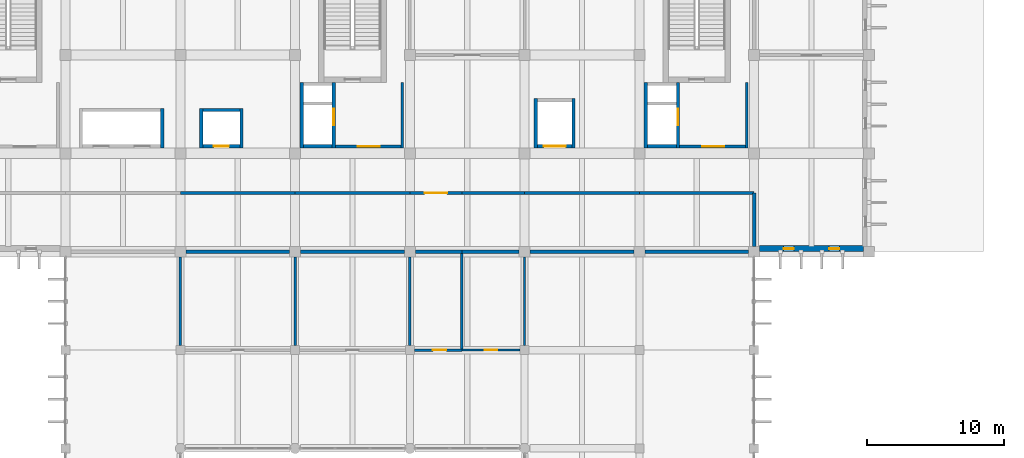
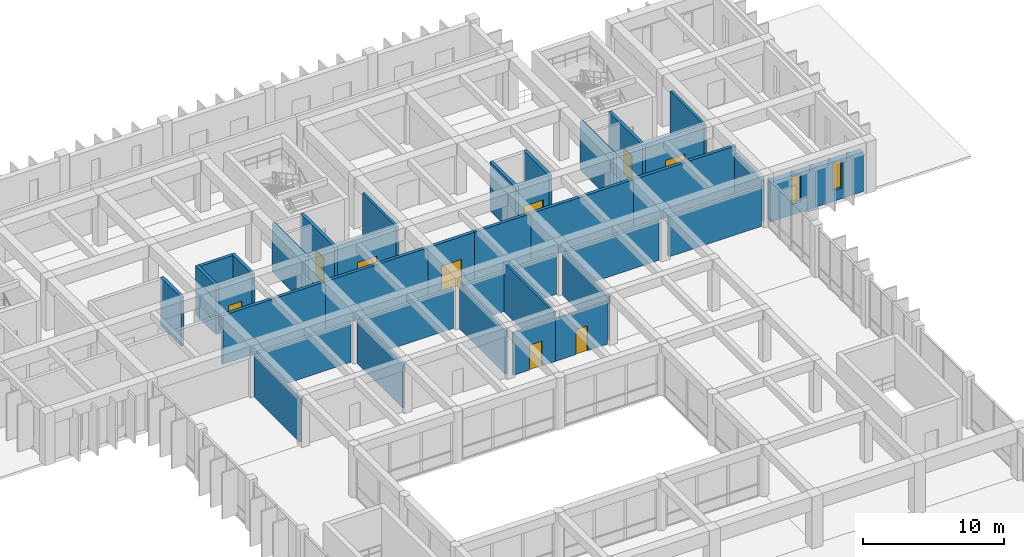
# One storey, part 29 of 40: 39 walls, 9 doors, 2 windows, 11 openings.
"""IFC4 building model written with IfcOpenShell, lengths in metres."""

from ifc_helpers import new_model, si_unit, direction, frame, frame_2d, origin, place, context, subcontext, project, spatial, rectangle, extrude, material, layer, layer_set, type_object, element, fill, save


model = new_model("IFC4")

# Units and contexts
model_context = context("Model", 3, precision=1e-05, world=origin(), true_north=direction((0.0, 1.0)))
body_context = subcontext(model_context, "Body", "Model", "MODEL_VIEW")
ifc_project = project(units=[si_unit("LENGTHUNIT", "METRE"), si_unit("AREAUNIT", "SQUARE_METRE"), si_unit("VOLUMEUNIT", "CUBIC_METRE"), si_unit("PLANEANGLEUNIT", "RADIAN"), si_unit("MASSUNIT", "GRAM", prefix="KILO")], contexts=[model_context])

# Site, building, storey
site_placement = place(None, origin())
site = spatial("IfcSite", under=ifc_project, at=site_placement, CompositionType="ELEMENT")
building_placement = place(site_placement, origin())
building = spatial("IfcBuilding", under=site, at=building_placement, Name="Kenerak Square Central Library", CompositionType="ELEMENT")
storey_placement = place(building_placement, frame((0.0, 0.0, 14.39990234375)))
storey = spatial("IfcBuildingStorey", under=building, at=storey_placement, Name="L03", CompositionType="ELEMENT", Elevation=14.39990234375)

# Wall, opening, door
ifc_material_1 = material(Name="Precast concrete C40/50", Category="concrete")
ifc_layer_1 = layer(ifc_material_1, 0.14990234375)
ifc_layer_set_1 = layer_set([ifc_layer_1], Name="Precast concrete C40/50")
wall_type_1 = type_object("IfcWallType", Name="Acoustic Blockwork Partition IW-150 C40/50", PredefinedType="PARTITIONING", material=ifc_layer_set_1)
wall_1_placement = place(storey_placement, frame((100.074951171875, 81.60009765625, 0.0), z_axis=(0.0, 0.0, 1.0), x_axis=(-1.0, 0.0, 0.0)))
wall_1 = element("IfcWall", 1, at=wall_1_placement, inside=storey, type_object=wall_type_1, Name="Interior Wall IW-L03-15-S1-B1", PredefinedType="PARTITIONING", context=body_context, shape_type="SweptSolid", body=[
    extrude(rectangle(XDim=4.27490234375, YDim=0.14990234375, at=frame_2d((2.137451171875, 0.0))), origin(), (0.0, 0.0, 1.0), 3.68017578125),
])
opening_1_placement = place(wall_1_placement, frame((1.66259765625, 0.0, 0.0)))
opening_1 = element("IfcOpeningElement", 2, at=opening_1_placement, cuts=wall_1, Name="Opening ID-02", PredefinedType="OPENING", context=body_context, shape_type="SweptSolid", body=[
    extrude(rectangle(XDim=0.949951171875, YDim=2.14990234375, at=frame_2d((0.47509765625, 1.074951171875))), frame((0.0, 0.0849609375, 0.0), z_axis=(0.0, -1.0, 0.0), x_axis=(1.0, 0.0, 0.0)), (0.0, 0.0, 1.0), 0.169921875),
])
ifc_material_2 = material(Name="Chengal hardwood timber SG1", Category="wood")
door_type_1 = type_object("IfcDoorType", Name="Study Carrel Timber Door ID-950x2150", OperationType="NOTDEFINED", PredefinedType="DOOR", material=ifc_material_2)
door_1_placement = place(opening_1_placement, origin())
door_1 = element("IfcDoor", 3, at=door_1_placement, inside=storey, type_object=door_type_1, Name="Level 03 Archival Consultation Study Room Door", OperationType="SINGLE_SWING_RIGHT", OverallHeight=2.14990234375, OverallWidth=0.949951171875, PredefinedType="DOOR", context=body_context, shape_type="SweptSolid", body=[
    extrude(rectangle(XDim=0.949951171875, YDim=2.14990234375, at=frame_2d((0.47509765625, 1.074951171875))), frame((0.0, 0.02490234375, 0.0), z_axis=(0.0, -1.0, 0.0), x_axis=(1.0, 0.0, 0.0)), (0.0, 0.0, 1.0), 0.050048828125),
])
fill(opening_1, door_1)

# Walls
wall_2_placement = place(storey_placement, frame((100.39990234375, 88.39990234375, 0.0), z_axis=(0.0, 0.0, 1.0), x_axis=(0.0, -1.0, 0.0)))
element("IfcWall", 4, at=wall_2_placement, inside=storey, type_object=wall_type_1, Name="Interior Wall IW-L03-15-E4-B1", PredefinedType="PARTITIONING", context=body_context, shape_type="SweptSolid", body=[
    extrude(rectangle(XDim=6.474853515625, YDim=0.14990234375, at=frame_2d((3.2373046875, 0.0))), origin(), (0.0, 0.0, 1.0), 3.72998046875),
])
ifc_material_3 = material(Name="Concrete C40/50", Category="concrete")
ifc_layer_2 = layer(ifc_material_3, 0.25)
ifc_layer_set_2 = layer_set([ifc_layer_2], Name="Concrete C40/50")
wall_type_2 = type_object("IfcWallType", Name="Archive Compartment Wall IW-250 C40/50", PredefinedType="SOLIDWALL", material=ifc_layer_set_2)
wall_3_placement = place(storey_placement, frame((75.199951171875, 93.10009765625, 0.0), z_axis=(0.0, 0.0, 1.0), x_axis=(1.0, 0.0, 0.0)))
element("IfcWall", 5, at=wall_3_placement, inside=storey, type_object=wall_type_2, Name="Interior Wall IW-L03-06-N2-B3", PredefinedType="SOLIDWALL", context=body_context, shape_type="SweptSolid", body=[
    extrude(rectangle(XDim=8.400146484375, YDim=0.25, at=frame_2d((4.2001953125, 0.0))), origin(), (0.0, 0.0, 1.0), 4.22998046875),
])
wall_4_placement = place(storey_placement, frame((83.60009765625, 93.10009765625, 0.0), z_axis=(0.0, 0.0, 1.0), x_axis=(1.0, 0.0, 0.0)))
element("IfcWall", 6, at=wall_4_placement, inside=storey, type_object=wall_type_2, Name="Interior Wall IW-L03-06-N2-B4", PredefinedType="SOLIDWALL", context=body_context, shape_type="SweptSolid", body=[
    extrude(rectangle(XDim=8.39990234375, YDim=0.25, at=frame_2d((4.199951171875, 0.0))), origin(), (0.0, 0.0, 1.0), 4.22998046875),
])

# Wall, opening, door
wall_5_placement = place(storey_placement, frame((92.0, 93.10009765625, 0.0), z_axis=(0.0, 0.0, 1.0), x_axis=(1.0, 0.0, 0.0)))
wall_5 = element("IfcWall", 7, at=wall_5_placement, inside=storey, type_object=wall_type_2, Name="Interior Wall IW-L03-06-N2-B5", PredefinedType="SOLIDWALL", context=body_context, shape_type="SweptSolid", body=[
    extrude(rectangle(XDim=3.800048828125, YDim=0.25, at=frame_2d((1.89990234375, 0.0))), origin(), (0.0, 0.0, 1.0), 4.22998046875),
])
opening_2_placement = place(wall_5_placement, frame((1.074951171875, 0.0, 0.0)))
opening_2 = element("IfcOpeningElement", 8, at=opening_2_placement, cuts=wall_5, Name="Opening ID-08", PredefinedType="OPENING", context=body_context, shape_type="SweptSolid", body=[
    extrude(rectangle(XDim=1.64990234375, YDim=2.25, at=frame_2d((0.824951171875, 1.125))), frame((0.0, 0.135009765625, 0.0), z_axis=(0.0, -1.0, 0.0), x_axis=(1.0, 0.0, 0.0)), (0.0, 0.0, 1.0), 0.27001953125),
])
ifc_material_4 = material(Name="Steel S355", Category="steel")
door_type_2 = type_object("IfcDoorType", Name="Vault Fire Compartment Double Door ID-1650x2250 FD120S", OperationType="NOTDEFINED", PredefinedType="DOOR", material=ifc_material_4)
door_2_placement = place(opening_2_placement, origin())
door_2 = element("IfcDoor", 9, at=door_2_placement, inside=storey, type_object=door_type_2, Name="Closed Archival Compact Stack Vault L03 Door", OperationType="DOUBLE_DOOR_SINGLE_SWING", OverallHeight=2.25, OverallWidth=1.64990234375, PredefinedType="DOOR", context=body_context, shape_type="SweptSolid", body=[
    extrude(rectangle(XDim=1.64990234375, YDim=2.25, at=frame_2d((0.824951171875, 1.125))), frame((0.0, 0.02490234375, 0.0), z_axis=(0.0, -1.0, 0.0), x_axis=(1.0, 0.0, 0.0)), (0.0, 0.0, 1.0), 0.050048828125),
])
fill(opening_2, door_2)

# Walls
wall_6_placement = place(storey_placement, frame((95.800048828125, 93.10009765625, 0.0), z_axis=(0.0, 0.0, 1.0), x_axis=(1.0, 0.0, 0.0)))
element("IfcWall", 10, at=wall_6_placement, inside=storey, type_object=wall_type_2, Name="Interior Wall IW-L03-06-N2-B6", PredefinedType="SOLIDWALL", context=body_context, shape_type="SweptSolid", body=[
    extrude(rectangle(XDim=4.599853515625, YDim=0.25, at=frame_2d((2.2998046875, 0.0))), origin(), (0.0, 0.0, 1.0), 4.22998046875),
])
wall_7_placement = place(storey_placement, frame((100.39990234375, 93.10009765625, 0.0), z_axis=(0.0, 0.0, 1.0), x_axis=(1.0, 0.0, 0.0)))
element("IfcWall", 11, at=wall_7_placement, inside=storey, type_object=wall_type_2, Name="Interior Wall IW-L03-06-N2-B7", PredefinedType="SOLIDWALL", context=body_context, shape_type="SweptSolid", body=[
    extrude(rectangle(XDim=8.400146484375, YDim=0.25, at=frame_2d((4.2001953125, 0.0))), origin(), (0.0, 0.0, 1.0), 4.22998046875),
])
wall_8_placement = place(storey_placement, frame((108.800048828125, 93.10009765625, 0.0), z_axis=(0.0, 0.0, 1.0), x_axis=(1.0, 0.0, 0.0)))
element("IfcWall", 12, at=wall_8_placement, inside=storey, type_object=wall_type_2, Name="Interior Wall IW-L03-06-N2-B8", PredefinedType="SOLIDWALL", context=body_context, shape_type="SweptSolid", body=[
    extrude(rectangle(XDim=8.39990234375, YDim=0.25, at=frame_2d((4.199951171875, 0.0))), origin(), (0.0, 0.0, 1.0), 4.22998046875),
])
wall_9_placement = place(storey_placement, frame((116.800048828125, 88.800048828125, 0.0), z_axis=(0.0, 0.0, 1.0), x_axis=(-1.0, 0.0, 0.0)))
element("IfcWall", 13, at=wall_9_placement, inside=storey, type_object=wall_type_2, Name="Interior Wall IW-L03-06-S1-B1", PredefinedType="SOLIDWALL", context=body_context, shape_type="SweptSolid", body=[
    extrude(rectangle(XDim=7.60009765625, YDim=0.25, at=frame_2d((3.800048828125, 0.0))), origin(), (0.0, 0.0, 1.0), 3.43017578125),
])
wall_10_placement = place(storey_placement, frame((108.39990234375, 88.800048828125, 0.0), z_axis=(0.0, 0.0, 1.0), x_axis=(-1.0, 0.0, 0.0)))
element("IfcWall", 14, at=wall_10_placement, inside=storey, type_object=wall_type_2, Name="Interior Wall IW-L03-06-S1-B2", PredefinedType="SOLIDWALL", context=body_context, shape_type="SweptSolid", body=[
    extrude(rectangle(XDim=7.599853515625, YDim=0.25, at=frame_2d((3.7998046875, 0.0))), origin(), (0.0, 0.0, 1.0), 3.43017578125),
])
wall_11_placement = place(storey_placement, frame((100.0, 88.800048828125, 0.0), z_axis=(0.0, 0.0, 1.0), x_axis=(-1.0, 0.0, 0.0)))
element("IfcWall", 15, at=wall_11_placement, inside=storey, type_object=wall_type_2, Name="Interior Wall IW-L03-06-S1-B3", PredefinedType="SOLIDWALL", context=body_context, shape_type="SweptSolid", body=[
    extrude(rectangle(XDim=4.199951171875, YDim=0.25, at=frame_2d((2.10009765625, 0.0))), origin(), (0.0, 0.0, 1.0), 3.43017578125),
])
wall_12_placement = place(storey_placement, frame((95.800048828125, 88.800048828125, 0.0), z_axis=(0.0, 0.0, 1.0), x_axis=(-1.0, 0.0, 0.0)))
element("IfcWall", 16, at=wall_12_placement, inside=storey, type_object=wall_type_2, Name="Interior Wall IW-L03-06-S1-B4", PredefinedType="SOLIDWALL", context=body_context, shape_type="SweptSolid", body=[
    extrude(rectangle(XDim=3.400146484375, YDim=0.25, at=frame_2d((1.7001953125, 0.0))), origin(), (0.0, 0.0, 1.0), 3.43017578125),
])
wall_13_placement = place(storey_placement, frame((91.60009765625, 88.800048828125, 0.0), z_axis=(0.0, 0.0, 1.0), x_axis=(-1.0, 0.0, 0.0)))
element("IfcWall", 17, at=wall_13_placement, inside=storey, type_object=wall_type_2, Name="Interior Wall IW-L03-06-S1-B5", PredefinedType="SOLIDWALL", context=body_context, shape_type="SweptSolid", body=[
    extrude(rectangle(XDim=7.60009765625, YDim=0.25, at=frame_2d((3.800048828125, 0.0))), origin(), (0.0, 0.0, 1.0), 3.43017578125),
])
wall_14_placement = place(storey_placement, frame((83.199951171875, 88.800048828125, 0.0), z_axis=(0.0, 0.0, 1.0), x_axis=(-1.0, 0.0, 0.0)))
element("IfcWall", 18, at=wall_14_placement, inside=storey, type_object=wall_type_2, Name="Interior Wall IW-L03-06-S1-B6", PredefinedType="SOLIDWALL", context=body_context, shape_type="SweptSolid", body=[
    extrude(rectangle(XDim=7.599853515625, YDim=0.25, at=frame_2d((3.7998046875, 0.0))), origin(), (0.0, 0.0, 1.0), 3.43017578125),
])
wall_15_placement = place(storey_placement, frame((117.199951171875, 93.10009765625, 0.0), z_axis=(0.0, 0.0, 1.0), x_axis=(0.0, -1.0, 0.0)))
element("IfcWall", 19, at=wall_15_placement, inside=storey, type_object=wall_type_2, Name="Interior Wall IW-L03-06-E4-B1", PredefinedType="SOLIDWALL", context=body_context, shape_type="SweptSolid", body=[
    extrude(rectangle(XDim=3.900146484375, YDim=0.25, at=frame_2d((1.9501953125, 0.0))), origin(), (0.0, 0.0, 1.0), 3.530029296875),
])
ifc_layer_3 = layer(ifc_material_3, 0.199951171875)
ifc_layer_set_3 = layer_set([ifc_layer_3], Name="Concrete C40/50")
wall_type_3 = type_object("IfcWallType", Name="Lobby Compartment Wall LW-200 C40/50", PredefinedType="SOLIDWALL", material=ifc_layer_set_3)
wall_16_placement = place(storey_placement, frame((91.449951171875, 101.199951171875, 0.0), z_axis=(0.0, 0.0, 1.0), x_axis=(0.0, -1.0, 0.0)))
element("IfcWall", 20, at=wall_16_placement, inside=storey, type_object=wall_type_3, Name="Firefighting Lobby East Wall C2 L03", PredefinedType="SOLIDWALL", context=body_context, shape_type="SweptSolid", body=[
    extrude(rectangle(XDim=4.800048828125, YDim=0.199951171875, at=frame_2d((2.39990234375, 0.0))), origin(), (0.0, 0.0, 1.0), 4.18017578125),
])

# Wall, opening, door
wall_17_placement = place(storey_placement, frame((91.35009765625, 96.5, 0.0), z_axis=(0.0, 0.0, 1.0), x_axis=(-1.0, 0.0, 0.0)))
wall_17 = element("IfcWall", 21, at=wall_17_placement, inside=storey, type_object=wall_type_3, Name="Firefighting Lobby South Wall C2 L03", PredefinedType="SOLIDWALL", context=body_context, shape_type="SweptSolid", body=[
    extrude(rectangle(XDim=4.800048828125, YDim=0.199951171875, at=frame_2d((2.39990234375, 0.0))), origin(), (0.0, 0.0, 1.0), 4.18017578125),
])
opening_3_placement = place(wall_17_placement, frame((1.550048828125, 0.0, 0.0)))
opening_3 = element("IfcOpeningElement", 22, at=opening_3_placement, cuts=wall_17, Name="Opening D-FFL", PredefinedType="OPENING", context=body_context, shape_type="SweptSolid", body=[
    extrude(rectangle(XDim=1.60009765625, YDim=2.199951171875, at=frame_2d((0.800048828125, 1.10009765625))), frame((0.0, 0.10986328125, 0.0), z_axis=(0.0, -1.0, 0.0), x_axis=(1.0, 0.0, 0.0)), (0.0, 0.0, 1.0), 0.219970703125),
])
door_type_3 = type_object("IfcDoorType", Name="Firefighting Lobby Double Door FD-1600x2200 FD60S", OperationType="NOTDEFINED", PredefinedType="DOOR", material=ifc_material_4)
door_3_placement = place(opening_3_placement, frame((1.60009765625, 0.0, 0.0), z_axis=(0.0, 0.0, 1.0), x_axis=(-1.0, 0.0, 0.0)))
door_3 = element("IfcDoor", 23, at=door_3_placement, inside=storey, type_object=door_type_3, Name="Firefighting Lobby Door C2 L03", OperationType="DOUBLE_DOOR_SINGLE_SWING", OverallHeight=2.199951171875, OverallWidth=1.60009765625, PredefinedType="DOOR", context=body_context, shape_type="SweptSolid", body=[
    extrude(rectangle(XDim=1.60009765625, YDim=2.199951171875, at=frame_2d((0.800048828125, 1.10009765625))), frame((0.0, 0.02490234375, 0.0), z_axis=(0.0, -1.0, 0.0), x_axis=(1.0, 0.0, 0.0)), (0.0, 0.0, 1.0), 0.050048828125),
])
fill(opening_3, door_3)

# Wall
wall_18_placement = place(storey_placement, frame((116.64990234375, 101.199951171875, 0.0), z_axis=(0.0, 0.0, 1.0), x_axis=(0.0, -1.0, 0.0)))
element("IfcWall", 24, at=wall_18_placement, inside=storey, type_object=wall_type_3, Name="Firefighting Lobby East Wall C3 L03", PredefinedType="SOLIDWALL", context=body_context, shape_type="SweptSolid", body=[
    extrude(rectangle(XDim=4.800048828125, YDim=0.199951171875, at=frame_2d((2.39990234375, 0.0))), origin(), (0.0, 0.0, 1.0), 4.18017578125),
])

# Wall, opening, door
wall_19_placement = place(storey_placement, frame((116.550048828125, 96.5, 0.0), z_axis=(0.0, 0.0, 1.0), x_axis=(-1.0, 0.0, 0.0)))
wall_19 = element("IfcWall", 25, at=wall_19_placement, inside=storey, type_object=wall_type_3, Name="Firefighting Lobby South Wall C3 L03", PredefinedType="SOLIDWALL", context=body_context, shape_type="SweptSolid", body=[
    extrude(rectangle(XDim=4.800048828125, YDim=0.199951171875, at=frame_2d((2.39990234375, 0.0))), origin(), (0.0, 0.0, 1.0), 4.18017578125),
])
opening_4_placement = place(wall_19_placement, frame((1.550048828125, 0.0, 0.0)))
opening_4 = element("IfcOpeningElement", 26, at=opening_4_placement, cuts=wall_19, Name="Opening D-FFL", PredefinedType="OPENING", context=body_context, shape_type="SweptSolid", body=[
    extrude(rectangle(XDim=1.60009765625, YDim=2.199951171875, at=frame_2d((0.800048828125, 1.10009765625))), frame((0.0, 0.10986328125, 0.0), z_axis=(0.0, -1.0, 0.0), x_axis=(1.0, 0.0, 0.0)), (0.0, 0.0, 1.0), 0.219970703125),
])
door_4_placement = place(opening_4_placement, frame((1.60009765625, 0.0, 0.0), z_axis=(0.0, 0.0, 1.0), x_axis=(-1.0, 0.0, 0.0)))
door_4 = element("IfcDoor", 27, at=door_4_placement, inside=storey, type_object=door_type_3, Name="Firefighting Lobby Door C3 L03", OperationType="DOUBLE_DOOR_SINGLE_SWING", OverallHeight=2.199951171875, OverallWidth=1.60009765625, PredefinedType="DOOR", context=body_context, shape_type="SweptSolid", body=[
    extrude(rectangle(XDim=1.60009765625, YDim=2.199951171875, at=frame_2d((0.800048828125, 1.10009765625))), frame((0.0, 0.02490234375, 0.0), z_axis=(0.0, -1.0, 0.0), x_axis=(1.0, 0.0, 0.0)), (0.0, 0.0, 1.0), 0.050048828125),
])
fill(opening_4, door_4)

# Wall, openings, windows
ifc_layer_4 = layer(ifc_material_3, 0.449951171875)
ifc_layer_set_4 = layer_set([ifc_layer_4], Name="Concrete C40/50")
wall_type_4 = type_object("IfcWallType", Name="Rare-Books Vault Exterior Wall VW-450 C40/50", PredefinedType="SOLIDWALL", material=ifc_layer_set_4)
wall_20_placement = place(storey_placement, frame((125.199951171875, 89.02490234375, 0.0), z_axis=(0.0, 0.0, 1.0), x_axis=(-1.0, 0.0, 0.0)))
wall_20 = element("IfcWall", 28, at=wall_20_placement, inside=storey, type_object=wall_type_4, Name="Exterior Facade Wall L03 0210", PredefinedType="SOLIDWALL", context=body_context, shape_type="SweptSolid", body=[
    extrude(rectangle(XDim=7.599853515625, YDim=0.449951171875, at=frame_2d((3.7998046875, 0.0))), origin(), (0.0, 0.0, 1.0), 3.43017578125),
])
opening_5_placement = place(wall_20_placement, frame((1.7529296875, 0.0, 0.89990234375)))
opening_5 = element("IfcOpeningElement", 29, at=opening_5_placement, cuts=wall_20, Name="Opening W-02", PredefinedType="OPENING", context=body_context, shape_type="SweptSolid", body=[
    extrude(rectangle(XDim=0.75, YDim=2.39990234375, at=frame_2d((0.375, 1.199951171875))), frame((0.0, 0.23486328125, 0.0), z_axis=(0.0, -1.0, 0.0), x_axis=(1.0, 0.0, 0.0)), (0.0, 0.0, 1.0), 0.469970703125),
])
opening_6_placement = place(wall_20_placement, frame((5.096923828125, 0.0, 0.89990234375)))
opening_6 = element("IfcOpeningElement", 30, at=opening_6_placement, cuts=wall_20, Name="Opening W-02", PredefinedType="OPENING", context=body_context, shape_type="SweptSolid", body=[
    extrude(rectangle(XDim=0.75, YDim=2.39990234375, at=frame_2d((0.375, 1.199951171875))), frame((0.0, 0.23486328125, 0.0), z_axis=(0.0, -1.0, 0.0), x_axis=(1.0, 0.0, 0.0)), (0.0, 0.0, 1.0), 0.469970703125),
])
ifc_material_5 = material(Name="Solar-control low-E laminated double glazing", Category="glass")
window_type = type_object("IfcWindowType", Name="Archive Narrow Slot Window W-02 750x2400", PartitioningType="SINGLE_PANEL", PredefinedType="WINDOW", material=ifc_material_5)
window_1_placement = place(opening_5_placement, origin())
window_1 = element("IfcWindow", 31, at=window_1_placement, inside=storey, type_object=window_type, Name="Window W-02 L03 0230", OverallHeight=2.39990234375, OverallWidth=0.75, PartitioningType="SINGLE_PANEL", PredefinedType="WINDOW", context=body_context, shape_type="SweptSolid", body=[
    extrude(rectangle(XDim=0.75, YDim=2.39990234375, at=frame_2d((0.375, 1.199951171875))), frame((0.0, 0.030029296875, 0.0), z_axis=(0.0, -1.0, 0.0), x_axis=(1.0, 0.0, 0.0)), (0.0, 0.0, 1.0), 0.06005859375),
])
fill(opening_5, window_1)
window_2_placement = place(opening_6_placement, origin())
window_2 = element("IfcWindow", 32, at=window_2_placement, inside=storey, type_object=window_type, Name="Window W-02 L03 0231", OverallHeight=2.39990234375, OverallWidth=0.75, PartitioningType="SINGLE_PANEL", PredefinedType="WINDOW", context=body_context, shape_type="SweptSolid", body=[
    extrude(rectangle(XDim=0.75, YDim=2.39990234375, at=frame_2d((0.375, 1.199951171875))), frame((0.0, 0.030029296875, 0.0), z_axis=(0.0, -1.0, 0.0), x_axis=(1.0, 0.0, 0.0)), (0.0, 0.0, 1.0), 0.06005859375),
])
fill(opening_6, window_2)

# Wall, opening, door
ifc_layer_5 = layer(ifc_material_1, 0.175048828125)
ifc_layer_set_5 = layer_set([ifc_layer_5], Name="Precast concrete C40/50")
wall_type_5 = type_object("IfcWallType", Name="Sanitary Plumbing Chase Wall IW-175 C40/50", PredefinedType="PLUMBINGWALL", material=ifc_layer_set_5)
wall_21_placement = place(storey_placement, frame((95.800048828125, 81.60009765625, 0.0), z_axis=(0.0, 0.0, 1.0), x_axis=(-1.0, 0.0, 0.0)))
wall_21 = element("IfcWall", 33, at=wall_21_placement, inside=storey, type_object=wall_type_5, Name="Interior Wall IW-L03-11-S1-B1", PredefinedType="PLUMBINGWALL", context=body_context, shape_type="SweptSolid", body=[
    extrude(rectangle(XDim=3.47509765625, YDim=0.175048828125, at=frame_2d((1.737548828125, 0.0))), origin(), (0.0, 0.0, 1.0), 3.68017578125),
])
opening_7_placement = place(wall_21_placement, frame((1.125, 0.0, 0.0)))
opening_7 = element("IfcOpeningElement", 34, at=opening_7_placement, cuts=wall_21, Name="Opening ID-03", PredefinedType="OPENING", context=body_context, shape_type="SweptSolid", body=[
    extrude(rectangle(XDim=1.0, YDim=2.14990234375, at=frame_2d((0.5, 1.074951171875))), frame((0.0, 0.097412109375, 0.0), z_axis=(0.0, -1.0, 0.0), x_axis=(1.0, 0.0, 0.0)), (0.0, 0.0, 1.0), 0.195068359375),
])
door_type_4 = type_object("IfcDoorType", Name="Accessible OKU WC Door ID-1000x2150", OperationType="NOTDEFINED", PredefinedType="DOOR", material=ifc_material_2)
door_5_placement = place(opening_7_placement, origin())
door_5 = element("IfcDoor", 35, at=door_5_placement, inside=storey, type_object=door_type_4, Name="Level 03 Accessible WC Door", OperationType="SINGLE_SWING_LEFT", OverallHeight=2.14990234375, OverallWidth=1.0, PredefinedType="DOOR", context=body_context, shape_type="SweptSolid", body=[
    extrude(rectangle(XDim=1.0, YDim=2.14990234375, at=frame_2d((0.5, 1.074951171875))), frame((0.0, 0.02490234375, 0.0), z_axis=(0.0, -1.0, 0.0), x_axis=(1.0, 0.0, 0.0)), (0.0, 0.0, 1.0), 0.050048828125),
])
fill(opening_7, door_5)

# Walls
for number, where, z_axis, x_axis, name in (
    (36, (75.199951171875, 81.925048828125, 0.0), (0.0, 0.0, 1.0), (0.0, 1.0, 0.0), "Interior Wall IW-L03-09-W3-B1"),
    (37, (83.60009765625, 88.39990234375, 0.0), (0.0, 0.0, 1.0), (0.0, -1.0, 0.0), "Interior Wall IW-L03-09-E4-B1"),
    (38, (92.0, 88.39990234375, 0.0), (0.0, 0.0, 1.0), (0.0, -1.0, 0.0), "Interior Wall IW-L03-10-E4-B1"),
):
    element("IfcWall", number, at=place(storey_placement, frame(where, z_axis=z_axis, x_axis=x_axis)), inside=storey, type_object=wall_type_5, Name=name, PredefinedType="PLUMBINGWALL", context=body_context, shape_type="SweptSolid", body=[
        extrude(rectangle(XDim=6.474853515625, YDim=0.175048828125, at=frame_2d((3.2373046875, 0.0))), origin(), (0.0, 0.0, 1.0), 3.72998046875),
    ])
wall_22_placement = place(storey_placement, frame((95.800048828125, 88.800048828125, 0.0), z_axis=(0.0, 0.0, 1.0), x_axis=(0.0, -1.0, 0.0)))
element("IfcWall", 39, at=wall_22_placement, inside=storey, type_object=wall_type_5, Name="Interior Wall IW-L03-11-E4-B1", PredefinedType="PLUMBINGWALL", context=body_context, shape_type="SweptSolid", body=[
    extrude(rectangle(XDim=7.199951171875, YDim=0.175048828125, at=frame_2d((3.60009765625, 0.0))), origin(), (0.0, 0.0, 1.0), 4.22998046875),
])
ifc_layer_6 = layer(ifc_material_3, 0.25)
ifc_layer_set_6 = layer_set([ifc_layer_6], Name="Concrete C40/50")
wall_type_6 = type_object("IfcWallType", Name="Shaft Enclosure Wall SW-250 C40/50", PredefinedType="SOLIDWALL", material=ifc_layer_set_6)
wall_23_placement = place(storey_placement, frame((84.074951171875, 96.39990234375, 0.0), z_axis=(0.0, 0.0, 1.0), x_axis=(0.0, 1.0, 0.0)))
element("IfcWall", 40, at=wall_23_placement, inside=storey, type_object=wall_type_6, Name="Core Wall FLW-C2 L03 West", PredefinedType="SOLIDWALL", context=body_context, shape_type="SweptSolid", body=[
    extrude(rectangle(XDim=4.800048828125, YDim=0.25, at=frame_2d((2.39990234375, 0.0))), origin(), (0.0, 0.0, 1.0), 4.18017578125),
])

# Wall, opening, door
wall_24_placement = place(storey_placement, frame((86.425048828125, 101.199951171875, 0.0), z_axis=(0.0, 0.0, 1.0), x_axis=(0.0, -1.0, 0.0)))
wall_24 = element("IfcWall", 41, at=wall_24_placement, inside=storey, type_object=wall_type_6, Name="Core Wall FLW-C2 L03 East", PredefinedType="SOLIDWALL", context=body_context, shape_type="SweptSolid", body=[
    extrude(rectangle(XDim=4.800048828125, YDim=0.25, at=frame_2d((2.39990234375, 0.0))), origin(), (0.0, 0.0, 1.0), 4.18017578125),
])
opening_8_placement = place(wall_24_placement, frame((1.949951171875, 0.0, 0.0)))
opening_8 = element("IfcOpeningElement", 42, at=opening_8_placement, cuts=wall_24, Name="Opening LD-FL", PredefinedType="OPENING", context=body_context, shape_type="SweptSolid", body=[
    extrude(rectangle(XDim=1.199951171875, YDim=2.199951171875, at=frame_2d((0.60009765625, 1.10009765625))), frame((0.0, 0.135009765625, 0.0), z_axis=(0.0, -1.0, 0.0), x_axis=(1.0, 0.0, 0.0)), (0.0, 0.0, 1.0), 0.27001953125),
])
door_type_5 = type_object("IfcDoorType", Name="Firefighting Lift Sliding Landing Door LD-1200x2200 FD120S", OperationType="NOTDEFINED", PredefinedType="DOOR", material=ifc_material_4)
door_6_placement = place(opening_8_placement, origin())
door_6 = element("IfcDoor", 43, at=door_6_placement, inside=storey, type_object=door_type_5, Name="Firefighting Lift Landing Door FL-02 L03", OperationType="SLIDING_TO_LEFT", OverallHeight=2.199951171875, OverallWidth=1.199951171875, PredefinedType="DOOR", context=body_context, shape_type="SweptSolid", body=[
    extrude(rectangle(XDim=1.199951171875, YDim=2.199951171875, at=frame_2d((0.60009765625, 1.10009765625))), frame((0.0, 0.02490234375, 0.0), z_axis=(0.0, -1.0, 0.0), x_axis=(1.0, 0.0, 0.0)), (0.0, 0.0, 1.0), 0.050048828125),
])
fill(opening_8, door_6)

# Walls
wall_25_placement = place(storey_placement, frame((86.300048828125, 96.52490234375, 0.0), z_axis=(0.0, 0.0, 1.0), x_axis=(-1.0, 0.0, 0.0)))
element("IfcWall", 44, at=wall_25_placement, inside=storey, type_object=wall_type_6, Name="Core Wall FLW-C2 L03 South", PredefinedType="SOLIDWALL", context=body_context, shape_type="SweptSolid", body=[
    extrude(rectangle(XDim=2.10009765625, YDim=0.25, at=frame_2d((1.050048828125, 0.0))), origin(), (0.0, 0.0, 1.0), 4.18017578125),
])
wall_26_placement = place(storey_placement, frame((109.27490234375, 96.39990234375, 0.0), z_axis=(0.0, 0.0, 1.0), x_axis=(0.0, 1.0, 0.0)))
element("IfcWall", 45, at=wall_26_placement, inside=storey, type_object=wall_type_6, Name="Core Wall FLW-C3 L03 West", PredefinedType="SOLIDWALL", context=body_context, shape_type="SweptSolid", body=[
    extrude(rectangle(XDim=4.800048828125, YDim=0.25, at=frame_2d((2.39990234375, 0.0))), origin(), (0.0, 0.0, 1.0), 4.18017578125),
])

# Wall, opening, door
wall_27_placement = place(storey_placement, frame((111.625, 101.199951171875, 0.0), z_axis=(0.0, 0.0, 1.0), x_axis=(0.0, -1.0, 0.0)))
wall_27 = element("IfcWall", 46, at=wall_27_placement, inside=storey, type_object=wall_type_6, Name="Core Wall FLW-C3 L03 East", PredefinedType="SOLIDWALL", context=body_context, shape_type="SweptSolid", body=[
    extrude(rectangle(XDim=4.800048828125, YDim=0.25, at=frame_2d((2.39990234375, 0.0))), origin(), (0.0, 0.0, 1.0), 4.18017578125),
])
opening_9_placement = place(wall_27_placement, frame((1.949951171875, 0.0, 0.0)))
opening_9 = element("IfcOpeningElement", 47, at=opening_9_placement, cuts=wall_27, Name="Opening LD-FL", PredefinedType="OPENING", context=body_context, shape_type="SweptSolid", body=[
    extrude(rectangle(XDim=1.199951171875, YDim=2.199951171875, at=frame_2d((0.60009765625, 1.10009765625))), frame((0.0, 0.135009765625, 0.0), z_axis=(0.0, -1.0, 0.0), x_axis=(1.0, 0.0, 0.0)), (0.0, 0.0, 1.0), 0.27001953125),
])
door_7_placement = place(opening_9_placement, origin())
door_7 = element("IfcDoor", 48, at=door_7_placement, inside=storey, type_object=door_type_5, Name="Firefighting Lift Landing Door FL-03 L03", OperationType="SLIDING_TO_LEFT", OverallHeight=2.199951171875, OverallWidth=1.199951171875, PredefinedType="DOOR", context=body_context, shape_type="SweptSolid", body=[
    extrude(rectangle(XDim=1.199951171875, YDim=2.199951171875, at=frame_2d((0.60009765625, 1.10009765625))), frame((0.0, 0.02490234375, 0.0), z_axis=(0.0, -1.0, 0.0), x_axis=(1.0, 0.0, 0.0)), (0.0, 0.0, 1.0), 0.050048828125),
])
fill(opening_9, door_7)

# Walls
wall_28_placement = place(storey_placement, frame((111.5, 96.52490234375, 0.0), z_axis=(0.0, 0.0, 1.0), x_axis=(-1.0, 0.0, 0.0)))
element("IfcWall", 49, at=wall_28_placement, inside=storey, type_object=wall_type_6, Name="Core Wall FLW-C3 L03 South", PredefinedType="SOLIDWALL", context=body_context, shape_type="SweptSolid", body=[
    extrude(rectangle(XDim=2.10009765625, YDim=0.25, at=frame_2d((1.050048828125, 0.0))), origin(), (0.0, 0.0, 1.0), 4.18017578125),
])
for number, where, z_axis, x_axis, name in (
    (50, (73.875, 99.300048828125, 0.0), (0.0, 0.0, 1.0), (0.0, -1.0, 0.0), "Core Wall PLBANKW L03 East"),
    (51, (76.72509765625, 96.39990234375, 0.0), (0.0, 0.0, 1.0), (0.0, 1.0, 0.0), "Core Wall PLBANKE L03 West"),
    (52, (79.675048828125, 99.300048828125, 0.0), (0.0, 0.0, 1.0), (0.0, -1.0, 0.0), "Core Wall PLBANKE L03 East"),
):
    element("IfcWall", number, at=place(storey_placement, frame(where, z_axis=z_axis, x_axis=x_axis)), inside=storey, type_object=wall_type_6, Name=name, PredefinedType="SOLIDWALL", context=body_context, shape_type="SweptSolid", body=[
        extrude(rectangle(XDim=2.900146484375, YDim=0.25, at=frame_2d((1.4501953125, 0.0))), origin(), (0.0, 0.0, 1.0), 4.22998046875),
    ])

# Wall, opening, door
wall_29_placement = place(storey_placement, frame((79.550048828125, 96.52490234375, 0.0), z_axis=(0.0, 0.0, 1.0), x_axis=(-1.0, 0.0, 0.0)))
wall_29 = element("IfcWall", 53, at=wall_29_placement, inside=storey, type_object=wall_type_6, Name="Core Wall PLBANKE L03 South", PredefinedType="SOLIDWALL", context=body_context, shape_type="SweptSolid", body=[
    extrude(rectangle(XDim=2.699951171875, YDim=0.25, at=frame_2d((1.35009765625, 0.0))), origin(), (0.0, 0.0, 1.0), 4.22998046875),
])
opening_10_placement = place(wall_29_placement, frame((0.800048828125, 0.0, 0.0)))
opening_10 = element("IfcOpeningElement", 54, at=opening_10_placement, cuts=wall_29, Name="Opening LD-PL", PredefinedType="OPENING", context=body_context, shape_type="SweptSolid", body=[
    extrude(rectangle(XDim=1.10009765625, YDim=2.14990234375, at=frame_2d((0.550048828125, 1.074951171875))), frame((0.0, 0.135009765625, 0.0), z_axis=(0.0, -1.0, 0.0), x_axis=(1.0, 0.0, 0.0)), (0.0, 0.0, 1.0), 0.27001953125),
])
door_type_6 = type_object("IfcDoorType", Name="Passenger Lift Sliding Landing Door LD-1100x2150", OperationType="NOTDEFINED", PredefinedType="DOOR", material=ifc_material_4)
door_8_placement = place(opening_10_placement, origin())
door_8 = element("IfcDoor", 55, at=door_8_placement, inside=storey, type_object=door_type_6, Name="Passenger Lift Landing Door PL-03 L03", OperationType="SLIDING_TO_LEFT", OverallHeight=2.14990234375, OverallWidth=1.10009765625, PredefinedType="DOOR", context=body_context, shape_type="SweptSolid", body=[
    extrude(rectangle(XDim=1.10009765625, YDim=2.14990234375, at=frame_2d((0.550048828125, 1.074951171875))), frame((0.0, 0.02490234375, 0.0), z_axis=(0.0, -1.0, 0.0), x_axis=(1.0, 0.0, 0.0)), (0.0, 0.0, 1.0), 0.050048828125),
])
fill(opening_10, door_8)

# Walls
wall_30_placement = place(storey_placement, frame((76.85009765625, 99.175048828125, 0.0), z_axis=(0.0, 0.0, 1.0), x_axis=(1.0, 0.0, 0.0)))
element("IfcWall", 56, at=wall_30_placement, inside=storey, type_object=wall_type_6, Name="Core Wall PLBANKE L03 North", PredefinedType="SOLIDWALL", context=body_context, shape_type="SweptSolid", body=[
    extrude(rectangle(XDim=2.699951171875, YDim=0.25, at=frame_2d((1.35009765625, 0.0))), origin(), (0.0, 0.0, 1.0), 4.22998046875),
])
for number, where, z_axis, x_axis, name in (
    (57, (101.22509765625, 96.39990234375, 0.0), (0.0, 0.0, 1.0), (0.0, 1.0, 0.0), "Core Wall GLSHAFT L03 West"),
    (58, (103.97509765625, 100.0, 0.0), (0.0, 0.0, 1.0), (0.0, -1.0, 0.0), "Core Wall GLSHAFT L03 East"),
):
    element("IfcWall", number, at=place(storey_placement, frame(where, z_axis=z_axis, x_axis=x_axis)), inside=storey, type_object=wall_type_6, Name=name, PredefinedType="SOLIDWALL", context=body_context, shape_type="SweptSolid", body=[
        extrude(rectangle(XDim=3.60009765625, YDim=0.25, at=frame_2d((1.800048828125, 0.0))), origin(), (0.0, 0.0, 1.0), 4.22998046875),
    ])

# Wall, opening, door
wall_31_placement = place(storey_placement, frame((103.85009765625, 96.52490234375, 0.0), z_axis=(0.0, 0.0, 1.0), x_axis=(-1.0, 0.0, 0.0)))
wall_31 = element("IfcWall", 59, at=wall_31_placement, inside=storey, type_object=wall_type_6, Name="Core Wall GLSHAFT L03 South", PredefinedType="SOLIDWALL", context=body_context, shape_type="SweptSolid", body=[
    extrude(rectangle(XDim=2.5, YDim=0.25, at=frame_2d((1.25, 0.0))), origin(), (0.0, 0.0, 1.0), 4.22998046875),
])
opening_11_placement = place(wall_31_placement, frame((0.449951171875, 0.0, 0.0)))
opening_11 = element("IfcOpeningElement", 60, at=opening_11_placement, cuts=wall_31, Name="Opening LD-GL", PredefinedType="OPENING", context=body_context, shape_type="SweptSolid", body=[
    extrude(rectangle(XDim=1.60009765625, YDim=2.300048828125, at=frame_2d((0.800048828125, 1.14990234375))), frame((0.0, 0.135009765625, 0.0), z_axis=(0.0, -1.0, 0.0), x_axis=(1.0, 0.0, 0.0)), (0.0, 0.0, 1.0), 0.27001953125),
])
door_type_7 = type_object("IfcDoorType", Name="Goods Lift Sliding Landing Door LD-1600x2300 FD120S", OperationType="NOTDEFINED", PredefinedType="DOOR", material=ifc_material_4)
door_9_placement = place(opening_11_placement, origin())
door_9 = element("IfcDoor", 61, at=door_9_placement, inside=storey, type_object=door_type_7, Name="Goods Lift Landing Door GL-01 L03", OperationType="SLIDING_TO_LEFT", OverallHeight=2.300048828125, OverallWidth=1.60009765625, PredefinedType="DOOR", context=body_context, shape_type="SweptSolid", body=[
    extrude(rectangle(XDim=1.60009765625, YDim=2.300048828125, at=frame_2d((0.800048828125, 1.14990234375))), frame((0.0, 0.02490234375, 0.0), z_axis=(0.0, -1.0, 0.0), x_axis=(1.0, 0.0, 0.0)), (0.0, 0.0, 1.0), 0.050048828125),
])
fill(opening_11, door_9)

save(model, "model.ifc")
